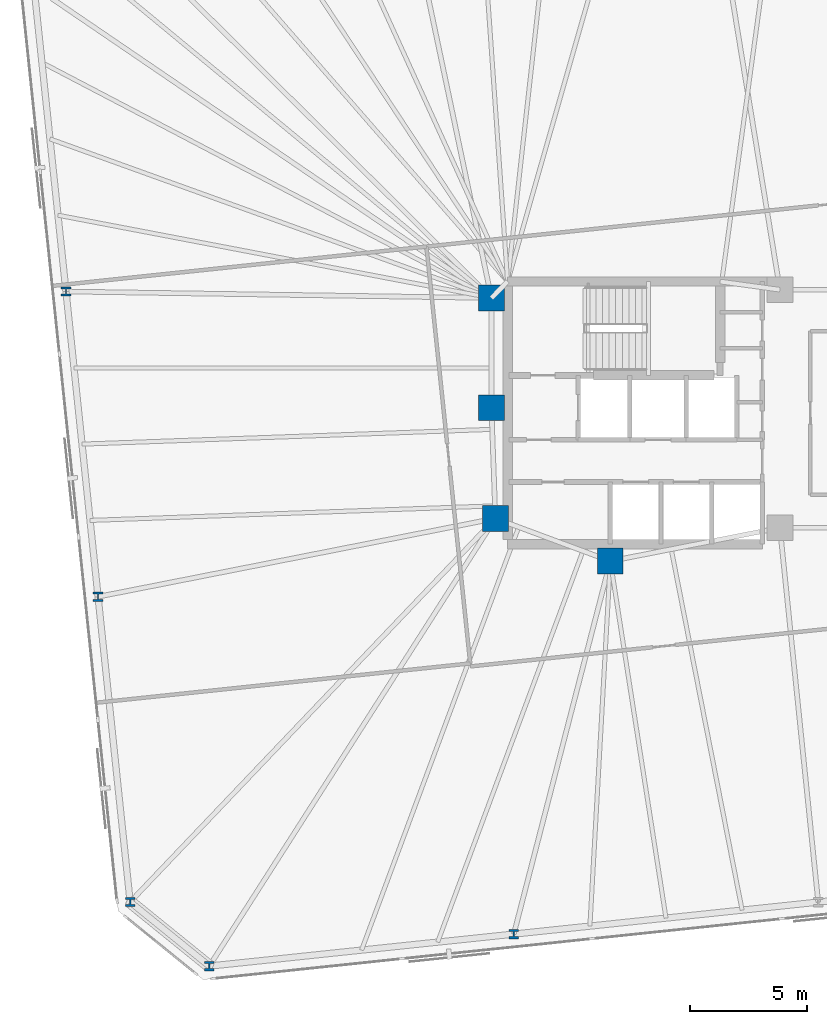
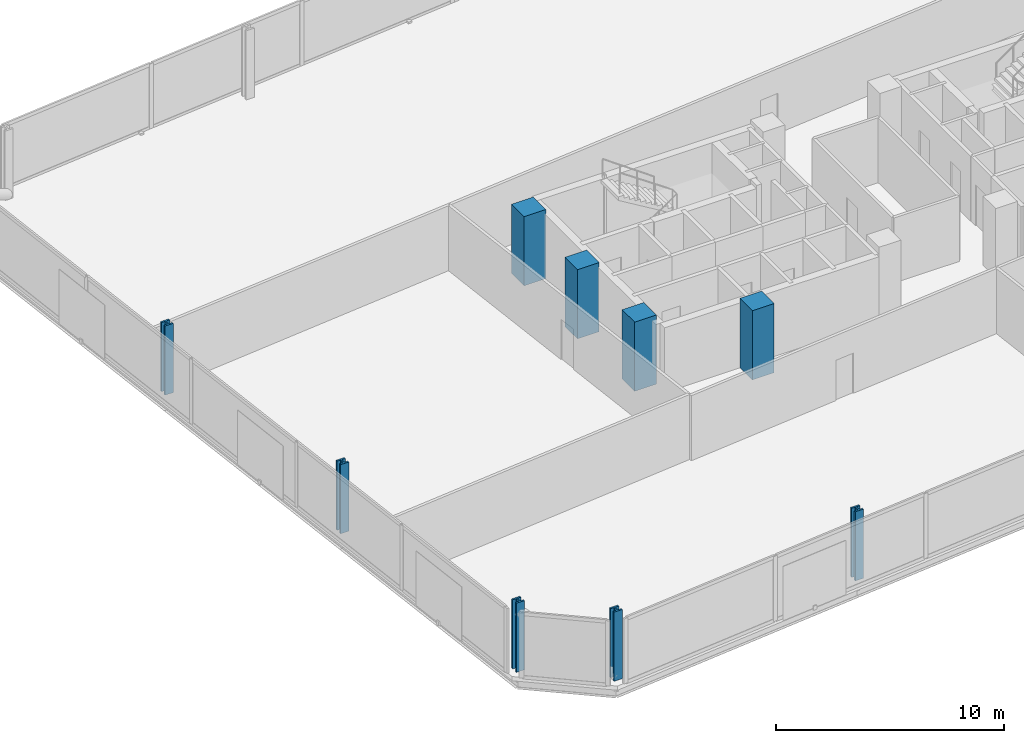
# One storey, part 1 of 17: 9 columns.
"""IFC4 building model written with IfcOpenShell, lengths in metres."""

from ifc_helpers import new_model, si_unit, direction, frame, origin, origin_2d, place, context, subcontext, project, spatial, rectangle, i_section, extrude, material, material_profile, profile_set, type_object, element, save


model = new_model("IFC4")

# Units and contexts
model_context = context("Model", 3, precision=1e-05, world=origin(), true_north=direction((0.0, 1.0)))
body_context = subcontext(model_context, "Body", "Model", "MODEL_VIEW")
ifc_project = project(units=[si_unit("LENGTHUNIT", "METRE"), si_unit("AREAUNIT", "SQUARE_METRE"), si_unit("VOLUMEUNIT", "CUBIC_METRE"), si_unit("PLANEANGLEUNIT", "RADIAN"), si_unit("MASSUNIT", "GRAM", prefix="KILO")], contexts=[model_context])

# Site, building, storey
site_placement = place(None, origin())
site = spatial("IfcSite", under=ifc_project, at=site_placement, CompositionType="ELEMENT")
building_placement = place(site_placement, origin())
building = spatial("IfcBuilding", under=site, at=building_placement, Name="Menara Jurai Vektor", CompositionType="ELEMENT")
storey_placement = place(building_placement, frame((0.0, 0.0, 131.800048828125)))
storey = spatial("IfcBuildingStorey", under=building, at=storey_placement, Name="L33", CompositionType="ELEMENT", Elevation=131.800048828125)

# Columns
ifc_material_1 = material(Name="Concrete C50/60", Category="concrete")
ifc_material_profile_1 = material_profile(ifc_material_1, rectangle(XDim=1.10009765625, YDim=1.10009765625, at=origin_2d()), Name="RC 1100x1100")
ifc_profile_set_1 = profile_set([ifc_material_profile_1], Name="Concrete C50/60")
column_type_1 = type_object("IfcColumnType", Name="STR-COL-RC1100", PredefinedType="COLUMN", material=ifc_profile_set_1)
for number, where, z_axis, x_axis, name in (
    (1, (-15.25, 4.89990234375, 0.0), (0.0, 0.0, 1.0), (1.0, 0.0, 0.0), "Core Spine Column CW-NW L33"),
    (2, (-15.25, 0.219970703125, 0.0), (0.0, 0.0, 1.0), (1.0, 0.0, 0.0), "Core Spine Column CW-WM L33"),
    (3, (-15.080078125, -4.5, 0.0), (0.0, 0.0, 1.0), (1.0, 0.0, 0.0), "Core Spine Column CW-SW L33"),
    (4, (-10.179931640625, -6.320068359375, 0.0), (0.0, 0.0, 1.0), (1.0, 0.0, 0.0), "Core Spine Column CW-SM L33"),
):
    element("IfcColumn", number, at=place(storey_placement, frame(where, z_axis=z_axis, x_axis=x_axis)), inside=storey, type_object=column_type_1, Name=name, PredefinedType="COLUMN", context=body_context, shape_type="SweptSolid", body=[
        extrude(rectangle(XDim=1.10009765625, YDim=1.10009765625, at=origin_2d()), origin(), (0.0, 0.0, 1.0), 3.699951171875),
    ])
ifc_material_2 = material(Name="Steel S460", Category="steel")
ifc_material_profile_2 = material_profile(ifc_material_2, i_section(OverallWidth=0.4130859375, OverallDepth=0.39794921875, WebThickness=0.055908203125, FlangeThickness=0.089111328125, FilletRadius=0.014892578125, at=origin_2d()), Name="HD 400x744")
ifc_profile_set_2 = profile_set([ifc_material_profile_2], Name="Steel S460")
column_type_2 = type_object("IfcColumnType", Name="STR-EXO-BLK2", PredefinedType="COLUMN", material=ifc_profile_set_2)
for number, where, z_axis, x_axis, name in (
    (5, (-27.2763671875, -23.586181640625, 0.0), (0.0, 0.0, 1.0), (1.0, 0.0, 0.0), "Exoskeleton Column BLK2-S1 L33"),
    (6, (-14.296630859375, -22.221923828125, 0.0), (0.0, 0.0, 1.0), (1.0, 0.0, 0.0), "Exoskeleton Column BLK2-S2 L33"),
    (7, (-33.388427734375, 5.175048828125, 0.0), (0.0, 0.0, 1.0), (1.0, 0.0, 0.0), "Exoskeleton Column BLK2-W2 L33"),
    (8, (-32.0205078125, -7.83837890625, 0.0), (0.0, 0.0, 1.0), (1.0, 0.0, 0.0), "Exoskeleton Column BLK2-W3 L33"),
    (9, (-30.65283203125, -20.85205078125, 0.0), (0.0, 0.0, 1.0), (1.0, 0.0, 0.0), "Exoskeleton Column BLK2-W4 L33"),
):
    element("IfcColumn", number, at=place(storey_placement, frame(where, z_axis=z_axis, x_axis=x_axis)), inside=storey, type_object=column_type_2, Name=name, PredefinedType="COLUMN", context=body_context, shape_type="SweptSolid", body=[
        extrude(i_section(OverallWidth=0.4130859375, OverallDepth=0.39794921875, WebThickness=0.055908203125, FlangeThickness=0.089111328125, FilletRadius=0.014892578125, at=origin_2d()), origin(), (0.0, 0.0, 1.0), 3.699951171875),
    ])

save(model, "model.ifc")
